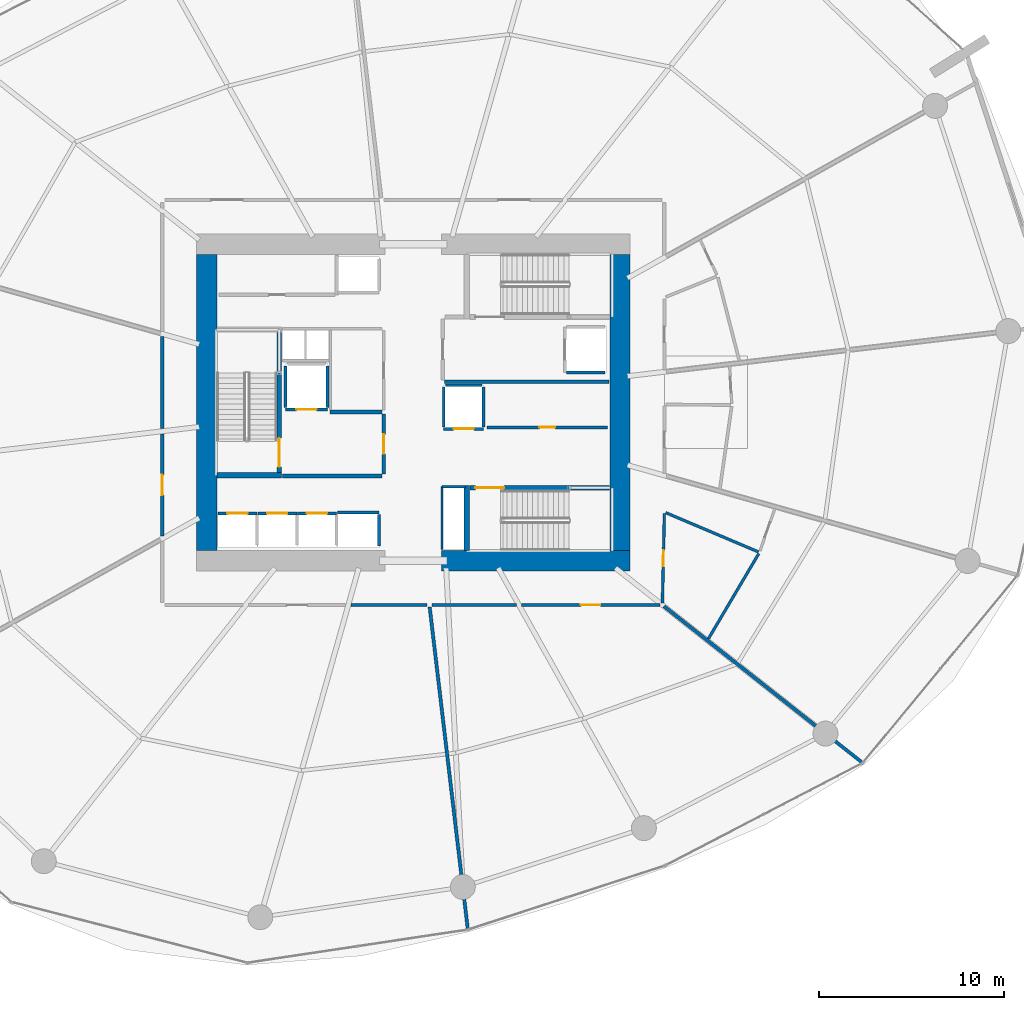
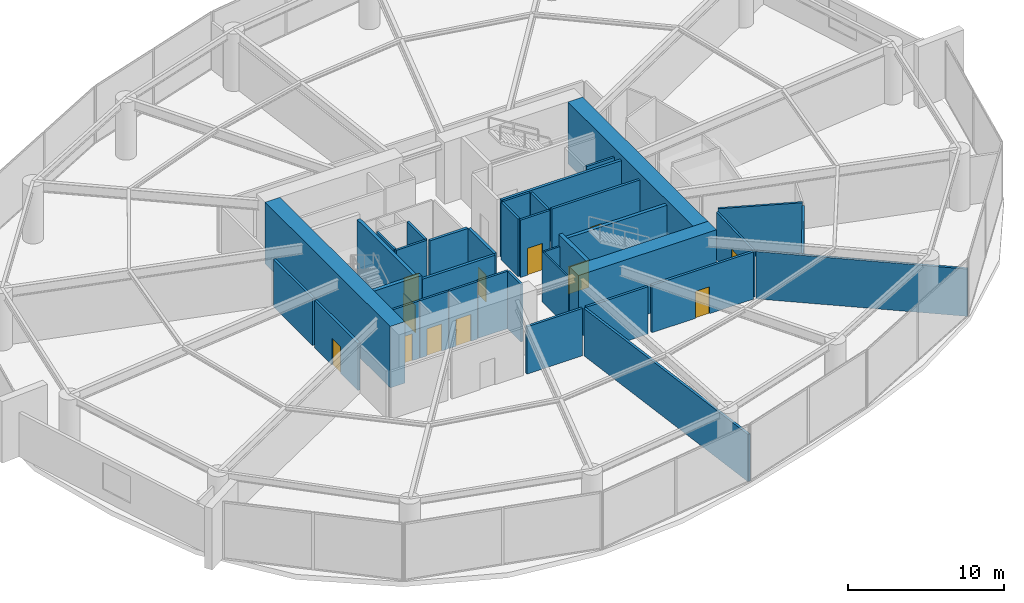
# One storey, part 18 of 22: 37 walls, 12 doors, 12 openings.
"""IFC4 building model written with IfcOpenShell, lengths in metres."""

from ifc_helpers import new_model, si_unit, direction, frame, frame_2d, origin, place, context, subcontext, project, spatial, rectangle, extrude, material, layer, layer_set, type_object, element, fill, save


model = new_model("IFC4")

# Units and contexts
model_context = context("Model", 3, precision=1e-05, world=origin(), true_north=direction((0.0, 1.0)))
body_context = subcontext(model_context, "Body", "Model", "MODEL_VIEW")
ifc_project = project(units=[si_unit("LENGTHUNIT", "METRE"), si_unit("AREAUNIT", "SQUARE_METRE"), si_unit("VOLUMEUNIT", "CUBIC_METRE"), si_unit("PLANEANGLEUNIT", "RADIAN"), si_unit("MASSUNIT", "GRAM", prefix="KILO")], contexts=[model_context])

# Site, building, storey
site_placement = place(None, origin())
site = spatial("IfcSite", under=ifc_project, at=site_placement, CompositionType="ELEMENT")
building_placement = place(site_placement, origin())
building = spatial("IfcBuilding", under=site, at=building_placement, Name="Kazma Halo Residences", CompositionType="ELEMENT")
storey_placement = place(building_placement, frame((0.0, 0.0, 7.199951171875)))
storey = spatial("IfcBuildingStorey", under=building, at=storey_placement, Name="L01", CompositionType="ELEMENT", Elevation=7.199951171875)

# Walls
ifc_material_1 = material(Name="Concrete C80/95", Category="concrete")
ifc_layer_1 = layer(ifc_material_1, 1.10009765625)
ifc_layer_set_1 = layer_set([ifc_layer_1], Name="Concrete C80/95")
wall_type_1 = type_object("IfcWallType", Name="WL-CORE-1100", PredefinedType="SHEAR", material=ifc_layer_set_1)
wall_1_placement = place(storey_placement, frame((49.949951171875, 33.449951171875, 0.0), z_axis=(0.0, 0.0, 1.0), x_axis=(1.0, 0.0, 0.0)))
element("IfcWall", 1, at=wall_1_placement, inside=storey, type_object=wall_type_1, Name="L01 central core shear wall SE", PredefinedType="SHEAR", context=body_context, shape_type="SweptSolid", body=[
    extrude(rectangle(XDim=10.199951171875, YDim=1.10009765625, at=frame_2d((5.10009765625, 0.0))), origin(), (0.0, 0.0, 1.0), 4.800048828125),
])
for number, where, z_axis, x_axis, name in (
    (2, (37.25, 34.0, 0.0), (0.0, 0.0, 1.0), (0.0, 1.0, 0.0), "L01 central core shear wall W"),
    (3, (59.60009765625, 34.0, 0.0), (0.0, 0.0, 1.0), (0.0, 1.0, 0.0), "L01 central core shear wall E"),
):
    element("IfcWall", number, at=place(storey_placement, frame(where, z_axis=z_axis, x_axis=x_axis)), inside=storey, type_object=wall_type_1, Name=name, PredefinedType="SHEAR", context=body_context, shape_type="SweptSolid", body=[
        extrude(rectangle(XDim=16.0, YDim=1.10009765625, at=frame_2d((8.0, 0.0))), origin(), (0.0, 0.0, 1.0), 4.800048828125),
    ])
ifc_material_2 = material(Name="Concrete C60/75", Category="concrete")
ifc_layer_2 = layer(ifc_material_2, 0.280029296875)
ifc_layer_set_2 = layer_set([ifc_layer_2], Name="Concrete C60/75")
wall_type_2 = type_object("IfcWallType", Name="WL-CORE-ST-280", PredefinedType="SHEAR", material=ifc_layer_set_2)
for number, where, z_axis, x_axis, name in (
    (4, (37.800048828125, 38.06005859375, 0.0), (0.0, 0.0, 1.0), (1.0, 0.0, 0.0), "L01 stairwell bearing wall ST01-S"),
    (5, (51.31005859375, 34.0, 0.0), (0.0, 0.0, 1.0), (0.0, 1.0, 0.0), "L01 stairwell bearing wall ST03-W"),
):
    element("IfcWall", number, at=place(storey_placement, frame(where, z_axis=z_axis, x_axis=x_axis)), inside=storey, type_object=wall_type_2, Name=name, PredefinedType="SHEAR", context=body_context, shape_type="SweptSolid", body=[
        extrude(rectangle(XDim=3.5, YDim=0.280029296875, at=frame_2d((1.75, 0.0))), origin(), (0.0, 0.0, 1.0), 4.800048828125),
    ])
ifc_material_3 = material(Name="Acoustic Twin-Stud Gypsum")
ifc_layer_3 = layer(ifc_material_3, 0.179931640625)
ifc_layer_set_3 = layer_set([ifc_layer_3], Name="Acoustic Twin-Stud Gypsum")
wall_type_3 = type_object("IfcWallType", Name="WL-DEM-180", PredefinedType="PARTITIONING", material=ifc_layer_set_3)
wall_2_placement = place(storey_placement, frame((34.85009765625, 45.568603515625, 0.0), z_axis=(0.0, 0.0, 1.0), x_axis=(0.0, -1.0, 0.0)))
element("IfcWall", 6, at=wall_2_placement, inside=storey, type_object=wall_type_3, Name="L01 Catering Kitchen and Pantry corridor wall", PredefinedType="PARTITIONING", context=body_context, shape_type="SweptSolid", body=[
    extrude(rectangle(XDim=4.985107421875, YDim=0.179931640625, at=frame_2d((2.49267578125, 0.0))), origin(), (0.0, 0.0, 1.0), 3.693115234375),
])

# Wall, opening, door
wall_3_placement = place(storey_placement, frame((34.85009765625, 40.3037109375, 0.0), z_axis=(0.0, 0.0, 1.0), x_axis=(0.0, -1.0, 0.0)))
wall_3 = element("IfcWall", 7, at=wall_3_placement, inside=storey, type_object=wall_type_3, Name="L01 Catering Kitchen and Pantry corridor wall", PredefinedType="PARTITIONING", context=body_context, shape_type="SweptSolid", body=[
    extrude(rectangle(XDim=5.528076171875, YDim=0.179931640625, at=frame_2d((2.76416015625, 0.0))), origin(), (0.0, 0.0, 1.0), 3.693115234375),
])
opening_1_placement = place(wall_3_placement, frame((2.214111328125, 0.0, 0.0)))
opening_1 = element("IfcOpeningElement", 8, at=opening_1_placement, cuts=wall_3, Name="Opening DA-1100", PredefinedType="OPENING", context=body_context, shape_type="SweptSolid", body=[
    extrude(rectangle(XDim=1.10009765625, YDim=2.10009765625, at=frame_2d((0.550048828125, 1.050048828125))), frame((0.0, 0.099853515625, 0.0), z_axis=(0.0, -1.0, 0.0), x_axis=(1.0, 0.0, 0.0)), (0.0, 0.0, 1.0), 0.199951171875),
])
ifc_material_4 = material(Name="Acoustic Walnut Fire Leaf")
door_type_1 = type_object("IfcDoorType", Name="DR-FD60-1100", OperationType="NOTDEFINED", PredefinedType="DOOR", material=ifc_material_4)
door_1_placement = place(opening_1_placement, origin())
door_1 = element("IfcDoor", 9, at=door_1_placement, inside=storey, type_object=door_type_1, Name="L01 Catering Kitchen and Pantry entrance door", OperationType="SINGLE_SWING_LEFT", OverallHeight=2.10009765625, OverallWidth=1.10009765625, PredefinedType="DOOR", context=body_context, shape_type="SweptSolid", body=[
    extrude(rectangle(XDim=1.10009765625, YDim=2.10009765625, at=frame_2d((0.550048828125, 1.050048828125))), frame((0.0, 0.02490234375, 0.0), z_axis=(0.0, -1.0, 0.0), x_axis=(1.0, 0.0, 0.0)), (0.0, 0.0, 1.0), 0.050048828125),
])
fill(opening_1, door_1)

# Walls
wall_4_placement = place(storey_placement, frame((45.0517578125, 31.050048828125, 0.0), z_axis=(0.0, 0.0, 1.0), x_axis=(1.0, 0.0, 0.0)))
element("IfcWall", 10, at=wall_4_placement, inside=storey, type_object=wall_type_3, Name="L01 Residents Business Suite corridor wall", PredefinedType="PARTITIONING", context=body_context, shape_type="SweptSolid", body=[
    extrude(rectangle(XDim=4.104248046875, YDim=0.179931640625, at=frame_2d((2.05224609375, 0.0))), origin(), (0.0, 0.0, 1.0), 3.693115234375),
])
wall_5_placement = place(storey_placement, frame((49.308837890625, 30.94091796875, 0.0), z_axis=(0.0, 0.0, 1.0), x_axis=(0.117547531601, -0.993067257448, 0.0)))
element("IfcWall", 11, at=wall_5_placement, inside=storey, type_object=wall_type_3, Name="L01 radial partition wall 11", PredefinedType="PARTITIONING", context=body_context, shape_type="SweptSolid", body=[
    extrude(rectangle(XDim=17.548095703125, YDim=0.179931640625, at=frame_2d((8.77392578125, 0.0))), origin(), (0.0, 0.0, 1.0), 3.693115234375),
])
wall_6_placement = place(storey_placement, frame((49.43603515625, 31.050048828125, 0.0), z_axis=(0.0, 0.0, 1.0), x_axis=(1.0, 0.0, 0.0)))
element("IfcWall", 12, at=wall_6_placement, inside=storey, type_object=wall_type_3, Name="L01 Estate Furniture Store Room corridor wall", PredefinedType="PARTITIONING", context=body_context, shape_type="SweptSolid", body=[
    extrude(rectangle(XDim=4.55615234375, YDim=0.179931640625, at=frame_2d((2.278076171875, 0.0))), origin(), (0.0, 0.0, 1.0), 3.693115234375),
])

# Wall, opening, door
wall_7_placement = place(storey_placement, frame((54.272216796875, 31.050048828125, 0.0), z_axis=(0.0, 0.0, 1.0), x_axis=(1.0, 0.0, 0.0)))
wall_7 = element("IfcWall", 13, at=wall_7_placement, inside=storey, type_object=wall_type_3, Name="L01 Estate Furniture Store Room corridor wall", PredefinedType="PARTITIONING", context=body_context, shape_type="SweptSolid", body=[
    extrude(rectangle(XDim=7.477783203125, YDim=0.179931640625, at=frame_2d((3.73876953125, 0.0))), origin(), (0.0, 0.0, 1.0), 3.693115234375),
])
opening_2_placement = place(wall_7_placement, frame((3.2138671875, 0.0, 0.0)))
opening_2 = element("IfcOpeningElement", 14, at=opening_2_placement, cuts=wall_7, Name="Opening DF-1050", PredefinedType="OPENING", context=body_context, shape_type="SweptSolid", body=[
    extrude(rectangle(XDim=1.050048828125, YDim=2.10009765625, at=frame_2d((0.52490234375, 1.050048828125))), frame((0.0, 0.099853515625, 0.0), z_axis=(0.0, -1.0, 0.0), x_axis=(1.0, 0.0, 0.0)), (0.0, 0.0, 1.0), 0.199951171875),
])
ifc_material_5 = material(Name="Fire-Rated Steel Leaf", Category="steel")
door_type_2 = type_object("IfcDoorType", Name="DR-FD90-1050", OperationType="NOTDEFINED", PredefinedType="DOOR", material=ifc_material_5)
door_2_placement = place(opening_2_placement, origin())
door_2 = element("IfcDoor", 15, at=door_2_placement, inside=storey, type_object=door_type_2, Name="L01 Estate Furniture Store Room entrance door", OperationType="SINGLE_SWING_LEFT", OverallHeight=2.10009765625, OverallWidth=1.050048828125, PredefinedType="DOOR", context=body_context, shape_type="SweptSolid", body=[
    extrude(rectangle(XDim=1.050048828125, YDim=2.10009765625, at=frame_2d((0.52490234375, 1.050048828125))), frame((0.0, 0.02490234375, 0.0), z_axis=(0.0, -1.0, 0.0), x_axis=(1.0, 0.0, 0.0)), (0.0, 0.0, 1.0), 0.050048828125),
])
fill(opening_2, door_2)

# Wall
wall_8_placement = place(storey_placement, frame((61.976318359375, 30.98193359375, 0.0), z_axis=(0.0, 0.0, 1.0), x_axis=(0.785315783489, -0.619095404766, 0.0)))
element("IfcWall", 16, at=wall_8_placement, inside=storey, type_object=wall_type_3, Name="L01 radial partition wall 13", PredefinedType="PARTITIONING", context=body_context, shape_type="SweptSolid", body=[
    extrude(rectangle(XDim=13.6611328125, YDim=0.179931640625, at=frame_2d((6.83056640625, 0.0))), origin(), (0.0, 0.0, 1.0), 3.693115234375),
])

# Wall, opening, door
ifc_material_6 = material(Name="Fire-Rated Blockwork Masonry", Category="masonry")
ifc_layer_4 = layer(ifc_material_6, 0.199951171875)
ifc_layer_set_4 = layer_set([ifc_layer_4], Name="Fire-Rated Blockwork Masonry")
wall_type_4 = type_object("IfcWallType", Name="WL-FLB-200", PredefinedType="PARTITIONING", material=ifc_layer_set_4)
wall_9_placement = place(storey_placement, frame((37.864990234375, 36.0048828125, 0.0), z_axis=(0.0, 0.0, 1.0), x_axis=(1.0, 0.0, 0.0)))
wall_9 = element("IfcWall", 17, at=wall_9_placement, inside=storey, type_object=wall_type_4, Name="L01 lift shaft PL-01 front wall", PredefinedType="PARTITIONING", context=body_context, shape_type="SweptSolid", body=[
    extrude(rectangle(XDim=2.110107421875, YDim=0.159912109375, at=frame_2d((1.05517578125, 0.0))), origin(), (0.0, 0.0, 1.0), 4.47998046875),
])
opening_3_placement = place(wall_9_placement, frame((0.5048828125, 0.0, 0.0)))
opening_3 = element("IfcOpeningElement", 18, at=opening_3_placement, cuts=wall_9, Name="Opening LD-PL-01", PredefinedType="OPENING", context=body_context, shape_type="SweptSolid", body=[
    extrude(rectangle(XDim=1.10009765625, YDim=2.10009765625, at=frame_2d((0.550048828125, 1.050048828125))), frame((0.0, 0.08984375, 0.0), z_axis=(0.0, -1.0, 0.0), x_axis=(1.0, 0.0, 0.0)), (0.0, 0.0, 1.0), 0.179931640625),
])
ifc_material_7 = material(Name="Stainless Steel Fire-Rated", Category="steel")
door_type_3 = type_object("IfcDoorType", Name="DR-LIFT-SLD-1100", OperationType="DOUBLE_DOOR_SLIDING", PredefinedType="DOOR", material=ifc_material_7)
door_3_placement = place(opening_3_placement, origin())
door_3 = element("IfcDoor", 19, at=door_3_placement, inside=storey, type_object=door_type_3, Name="L01 lift PL-01 sliding landing door", OperationType="DOUBLE_DOOR_SLIDING", OverallHeight=2.10009765625, OverallWidth=1.10009765625, PredefinedType="DOOR", context=body_context, shape_type="SweptSolid", body=[
    extrude(rectangle(XDim=1.10009765625, YDim=2.10009765625, at=frame_2d((0.550048828125, 1.050048828125))), frame((0.0, 0.02490234375, 0.0), z_axis=(0.0, -1.0, 0.0), x_axis=(1.0, 0.0, 0.0)), (0.0, 0.0, 1.0), 0.050048828125),
])
fill(opening_3, door_3)

wall_10_placement = place(storey_placement, frame((40.014892578125, 36.0048828125, 0.0), z_axis=(0.0, 0.0, 1.0), x_axis=(1.0, 0.0, 0.0)))
wall_10 = element("IfcWall", 20, at=wall_10_placement, inside=storey, type_object=wall_type_4, Name="L01 lift shaft PL-02 front wall", PredefinedType="PARTITIONING", context=body_context, shape_type="SweptSolid", body=[
    extrude(rectangle(XDim=2.110107421875, YDim=0.159912109375, at=frame_2d((1.05517578125, 0.0))), origin(), (0.0, 0.0, 1.0), 4.47998046875),
])
opening_4_placement = place(wall_10_placement, frame((0.5048828125, 0.0, 0.0)))
opening_4 = element("IfcOpeningElement", 21, at=opening_4_placement, cuts=wall_10, Name="Opening LD-PL-02", PredefinedType="OPENING", context=body_context, shape_type="SweptSolid", body=[
    extrude(rectangle(XDim=1.10009765625, YDim=2.10009765625, at=frame_2d((0.550048828125, 1.050048828125))), frame((0.0, 0.08984375, 0.0), z_axis=(0.0, -1.0, 0.0), x_axis=(1.0, 0.0, 0.0)), (0.0, 0.0, 1.0), 0.179931640625),
])
door_4_placement = place(opening_4_placement, origin())
door_4 = element("IfcDoor", 22, at=door_4_placement, inside=storey, type_object=door_type_3, Name="L01 lift PL-02 sliding landing door", OperationType="DOUBLE_DOOR_SLIDING", OverallHeight=2.10009765625, OverallWidth=1.10009765625, PredefinedType="DOOR", context=body_context, shape_type="SweptSolid", body=[
    extrude(rectangle(XDim=1.10009765625, YDim=2.10009765625, at=frame_2d((0.550048828125, 1.050048828125))), frame((0.0, 0.02490234375, 0.0), z_axis=(0.0, -1.0, 0.0), x_axis=(1.0, 0.0, 0.0)), (0.0, 0.0, 1.0), 0.050048828125),
])
fill(opening_4, door_4)

wall_11_placement = place(storey_placement, frame((42.1650390625, 36.0048828125, 0.0), z_axis=(0.0, 0.0, 1.0), x_axis=(1.0, 0.0, 0.0)))
wall_11 = element("IfcWall", 23, at=wall_11_placement, inside=storey, type_object=wall_type_4, Name="L01 lift shaft PL-03 front wall", PredefinedType="PARTITIONING", context=body_context, shape_type="SweptSolid", body=[
    extrude(rectangle(XDim=2.10986328125, YDim=0.159912109375, at=frame_2d((1.054931640625, 0.0))), origin(), (0.0, 0.0, 1.0), 4.47998046875),
])
opening_5_placement = place(wall_11_placement, frame((0.5048828125, 0.0, 0.0)))
opening_5 = element("IfcOpeningElement", 24, at=opening_5_placement, cuts=wall_11, Name="Opening LD-PL-03", PredefinedType="OPENING", context=body_context, shape_type="SweptSolid", body=[
    extrude(rectangle(XDim=1.10009765625, YDim=2.10009765625, at=frame_2d((0.550048828125, 1.050048828125))), frame((0.0, 0.08984375, 0.0), z_axis=(0.0, -1.0, 0.0), x_axis=(1.0, 0.0, 0.0)), (0.0, 0.0, 1.0), 0.179931640625),
])
door_5_placement = place(opening_5_placement, origin())
door_5 = element("IfcDoor", 25, at=door_5_placement, inside=storey, type_object=door_type_3, Name="L01 lift PL-03 sliding landing door", OperationType="DOUBLE_DOOR_SLIDING", OverallHeight=2.10009765625, OverallWidth=1.10009765625, PredefinedType="DOOR", context=body_context, shape_type="SweptSolid", body=[
    extrude(rectangle(XDim=1.10009765625, YDim=2.10009765625, at=frame_2d((0.550048828125, 1.050048828125))), frame((0.0, 0.02490234375, 0.0), z_axis=(0.0, -1.0, 0.0), x_axis=(1.0, 0.0, 0.0)), (0.0, 0.0, 1.0), 0.050048828125),
])
fill(opening_5, door_5)

# Walls
wall_12_placement = place(storey_placement, frame((44.320068359375, 36.054931640625, 0.0), z_axis=(0.0, 0.0, 1.0), x_axis=(1.0, 0.0, 0.0)))
element("IfcWall", 26, at=wall_12_placement, inside=storey, type_object=wall_type_4, Name="L01 lift shaft PX-02 front wall", PredefinedType="PARTITIONING", context=body_context, shape_type="SweptSolid", body=[
    extrude(rectangle(XDim=2.260009765625, YDim=0.159912109375, at=frame_2d((1.1298828125, 0.0))), origin(), (0.0, 0.0, 1.0), 4.47998046875),
])
wall_13_placement = place(storey_placement, frame((46.580078125, 34.2451171875, 0.0), z_axis=(0.0, 0.0, 1.0), x_axis=(0.0, 1.0, 0.0)))
element("IfcWall", 27, at=wall_13_placement, inside=storey, type_object=wall_type_4, Name="L01 lift shaft PX-02 side wall E", PredefinedType="PARTITIONING", context=body_context, shape_type="SweptSolid", body=[
    extrude(rectangle(XDim=1.7099609375, YDim=0.159912109375, at=frame_2d((0.85498046875, 0.0))), origin(), (0.0, 0.0, 1.0), 4.47998046875),
])

# Wall, opening, door
wall_14_placement = place(storey_placement, frame((43.780029296875, 41.6201171875, 0.0), z_axis=(0.0, 0.0, 1.0), x_axis=(-1.0, 0.0, 0.0)))
wall_14 = element("IfcWall", 28, at=wall_14_placement, inside=storey, type_object=wall_type_4, Name="L01 lift shaft FL-01 front wall", PredefinedType="PARTITIONING", context=body_context, shape_type="SweptSolid", body=[
    extrude(rectangle(XDim=2.260009765625, YDim=0.159912109375, at=frame_2d((1.1298828125, 0.0))), origin(), (0.0, 0.0, 1.0), 4.47998046875),
])
opening_6_placement = place(wall_14_placement, frame((0.580078125, 0.0, 0.0)))
opening_6 = element("IfcOpeningElement", 29, at=opening_6_placement, cuts=wall_14, Name="Opening LD-FL-01", PredefinedType="OPENING", context=body_context, shape_type="SweptSolid", body=[
    extrude(rectangle(XDim=1.10009765625, YDim=2.10009765625, at=frame_2d((0.550048828125, 1.050048828125))), frame((0.0, 0.08984375, 0.0), z_axis=(0.0, -1.0, 0.0), x_axis=(1.0, 0.0, 0.0)), (0.0, 0.0, 1.0), 0.179931640625),
])
door_6_placement = place(opening_6_placement, origin())
door_6 = element("IfcDoor", 30, at=door_6_placement, inside=storey, type_object=door_type_3, Name="L01 lift FL-01 sliding landing door", OperationType="DOUBLE_DOOR_SLIDING", OverallHeight=2.10009765625, OverallWidth=1.10009765625, PredefinedType="DOOR", context=body_context, shape_type="SweptSolid", body=[
    extrude(rectangle(XDim=1.10009765625, YDim=2.10009765625, at=frame_2d((0.550048828125, 1.050048828125))), frame((0.0, 0.02490234375, 0.0), z_axis=(0.0, -1.0, 0.0), x_axis=(1.0, 0.0, 0.0)), (0.0, 0.0, 1.0), 0.050048828125),
])
fill(opening_6, door_6)

# Walls
for number, where, z_axis, x_axis, name in (
    (31, (43.780029296875, 41.719970703125, 0.0), (0.0, 0.0, 1.0), (0.0, 1.0, 0.0), "L01 lift shaft FL-01 side wall E"),
    (32, (41.52001953125, 41.719970703125, 0.0), (0.0, 0.0, 1.0), (0.0, 1.0, 0.0), "L01 lift shaft FL-01 side wall W"),
):
    element("IfcWall", number, at=place(storey_placement, frame(where, z_axis=z_axis, x_axis=x_axis)), inside=storey, type_object=wall_type_4, Name=name, PredefinedType="PARTITIONING", context=body_context, shape_type="SweptSolid", body=[
        extrude(rectangle(XDim=2.260009765625, YDim=0.159912109375, at=frame_2d((1.1298828125, 0.0))), origin(), (0.0, 0.0, 1.0), 4.47998046875),
    ])
wall_15_placement = place(storey_placement, frame((56.719970703125, 43.6201171875, 0.0), z_axis=(0.0, 0.0, 1.0), x_axis=(1.0, 0.0, 0.0)))
element("IfcWall", 33, at=wall_15_placement, inside=storey, type_object=wall_type_4, Name="L01 lift shaft FL-02 side wall S", PredefinedType="PARTITIONING", context=body_context, shape_type="SweptSolid", body=[
    extrude(rectangle(XDim=2.06005859375, YDim=0.159912109375, at=frame_2d((1.030029296875, 0.0))), origin(), (0.0, 0.0, 1.0), 4.47998046875),
])

# Wall, opening, door
wall_16_placement = place(storey_placement, frame((52.22998046875, 40.570068359375, 0.0), z_axis=(0.0, 0.0, 1.0), x_axis=(-1.0, 0.0, 0.0)))
wall_16 = element("IfcWall", 34, at=wall_16_placement, inside=storey, type_object=wall_type_4, Name="L01 lift shaft SV-01 front wall", PredefinedType="PARTITIONING", context=body_context, shape_type="SweptSolid", body=[
    extrude(rectangle(XDim=2.159912109375, YDim=0.159912109375, at=frame_2d((1.080078125, 0.0))), origin(), (0.0, 0.0, 1.0), 4.47998046875),
])
opening_7_placement = place(wall_16_placement, frame((0.530029296875, 0.0, 0.0)))
opening_7 = element("IfcOpeningElement", 35, at=opening_7_placement, cuts=wall_16, Name="Opening LD-SV-01", PredefinedType="OPENING", context=body_context, shape_type="SweptSolid", body=[
    extrude(rectangle(XDim=1.10009765625, YDim=2.10009765625, at=frame_2d((0.550048828125, 1.050048828125))), frame((0.0, 0.08984375, 0.0), z_axis=(0.0, -1.0, 0.0), x_axis=(1.0, 0.0, 0.0)), (0.0, 0.0, 1.0), 0.179931640625),
])
door_7_placement = place(opening_7_placement, origin())
door_7 = element("IfcDoor", 36, at=door_7_placement, inside=storey, type_object=door_type_3, Name="L01 lift SV-01 sliding landing door", OperationType="DOUBLE_DOOR_SLIDING", OverallHeight=2.10009765625, OverallWidth=1.10009765625, PredefinedType="DOOR", context=body_context, shape_type="SweptSolid", body=[
    extrude(rectangle(XDim=1.10009765625, YDim=2.10009765625, at=frame_2d((0.550048828125, 1.050048828125))), frame((0.0, 0.02490234375, 0.0), z_axis=(0.0, -1.0, 0.0), x_axis=(1.0, 0.0, 0.0)), (0.0, 0.0, 1.0), 0.050048828125),
])
fill(opening_7, door_7)

# Walls
for number, where, z_axis, x_axis, name in (
    (37, (52.22998046875, 40.669921875, 0.0), (0.0, 0.0, 1.0), (0.0, 1.0, 0.0), "L01 lift shaft SV-01 side wall E"),
    (38, (50.070068359375, 40.669921875, 0.0), (0.0, 0.0, 1.0), (0.0, 1.0, 0.0), "L01 lift shaft SV-01 side wall W"),
):
    element("IfcWall", number, at=place(storey_placement, frame(where, z_axis=z_axis, x_axis=x_axis)), inside=storey, type_object=wall_type_4, Name=name, PredefinedType="PARTITIONING", context=body_context, shape_type="SweptSolid", body=[
        extrude(rectangle(XDim=2.16015625, YDim=0.159912109375, at=frame_2d((1.080078125, 0.0))), origin(), (0.0, 0.0, 1.0), 4.47998046875),
    ])
wall_17_placement = place(storey_placement, frame((50.169921875, 42.929931640625, 0.0), z_axis=(0.0, 0.0, 1.0), x_axis=(1.0, 0.0, 0.0)))
element("IfcWall", 39, at=wall_17_placement, inside=storey, type_object=wall_type_4, Name="L01 lift shaft SV-01 side wall N", PredefinedType="PARTITIONING", context=body_context, shape_type="SweptSolid", body=[
    extrude(rectangle(XDim=1.9599609375, YDim=0.159912109375, at=frame_2d((0.97998046875, 0.0))), origin(), (0.0, 0.0, 1.0), 4.47998046875),
])

# Wall, opening, door
wall_18_placement = place(storey_placement, frame((52.419921875, 40.64990234375, 0.0), z_axis=(0.0, 0.0, 1.0), x_axis=(1.0, 0.0, 0.0)))
wall_18 = element("IfcWall", 40, at=wall_18_placement, inside=storey, type_object=wall_type_4, Name="L01 core east reserve wall", PredefinedType="PARTITIONING", context=body_context, shape_type="SweptSolid", body=[
    extrude(rectangle(XDim=6.5, YDim=0.179931640625, at=frame_2d((3.25, 0.0))), origin(), (0.0, 0.0, 1.0), 4.47998046875),
])
opening_8_placement = place(wall_18_placement, frame((2.824951171875, 0.0, 0.0)))
opening_8 = element("IfcOpeningElement", 41, at=opening_8_placement, cuts=wall_18, Name="Opening DS-850", PredefinedType="OPENING", context=body_context, shape_type="SweptSolid", body=[
    extrude(rectangle(XDim=0.85009765625, YDim=2.06005859375, at=frame_2d((0.425048828125, 1.030029296875))), frame((0.0, 0.099853515625, 0.0), z_axis=(0.0, -1.0, 0.0), x_axis=(1.0, 0.0, 0.0)), (0.0, 0.0, 1.0), 0.199951171875),
])
ifc_material_8 = material(Name="Painted Steel Access Leaf", Category="steel")
door_type_4 = type_object("IfcDoorType", Name="DR-SVC-850", OperationType="NOTDEFINED", PredefinedType="DOOR", material=ifc_material_8)
door_8_placement = place(opening_8_placement, origin())
door_8 = element("IfcDoor", 42, at=door_8_placement, inside=storey, type_object=door_type_4, Name="L01 core east reserve door", OperationType="SINGLE_SWING_RIGHT", OverallHeight=2.06005859375, OverallWidth=0.85009765625, PredefinedType="DOOR", context=body_context, shape_type="SweptSolid", body=[
    extrude(rectangle(XDim=0.85009765625, YDim=2.06005859375, at=frame_2d((0.425048828125, 1.030029296875))), frame((0.0, 0.02490234375, 0.0), z_axis=(0.0, -1.0, 0.0), x_axis=(1.0, 0.0, 0.0)), (0.0, 0.0, 1.0), 0.050048828125),
])
fill(opening_8, door_8)

# Walls
wall_19_placement = place(storey_placement, frame((41.35009765625, 38.02001953125, 0.0), z_axis=(0.0, 0.0, 1.0), x_axis=(1.0, 0.0, 0.0)))
element("IfcWall", 43, at=wall_19_placement, inside=storey, type_object=wall_type_4, Name="L01 west firefighting lobby south smoke wall", PredefinedType="PARTITIONING", context=body_context, shape_type="SweptSolid", body=[
    extrude(rectangle(XDim=5.369873046875, YDim=0.199951171875, at=frame_2d((2.68505859375, 0.0))), origin(), (0.0, 0.0, 1.0), 4.47998046875),
])
wall_20_placement = place(storey_placement, frame((43.919921875, 41.47998046875, 0.0), z_axis=(0.0, 0.0, 1.0), x_axis=(1.0, 0.0, 0.0)))
element("IfcWall", 44, at=wall_20_placement, inside=storey, type_object=wall_type_4, Name="L01 west firefighting lobby north smoke wall", PredefinedType="PARTITIONING", context=body_context, shape_type="SweptSolid", body=[
    extrude(rectangle(XDim=2.800048828125, YDim=0.199951171875, at=frame_2d((1.39990234375, 0.0))), origin(), (0.0, 0.0, 1.0), 4.47998046875),
])

# Wall, opening, door
wall_21_placement = place(storey_placement, frame((46.820068359375, 38.1201171875, 0.0), z_axis=(0.0, 0.0, 1.0), x_axis=(0.0, 1.0, 0.0)))
wall_21 = element("IfcWall", 45, at=wall_21_placement, inside=storey, type_object=wall_type_4, Name="L01 west firefighting lobby smoke wall", PredefinedType="PARTITIONING", context=body_context, shape_type="SweptSolid", body=[
    extrude(rectangle(XDim=3.259765625, YDim=0.199951171875, at=frame_2d((1.6298828125, 0.0))), origin(), (0.0, 0.0, 1.0), 4.47998046875),
])
opening_9_placement = place(wall_21_placement, frame((1.10498046875, 0.0, 0.0)))
opening_9 = element("IfcOpeningElement", 46, at=opening_9_placement, cuts=wall_21, Name="Opening D-FLW", PredefinedType="OPENING", context=body_context, shape_type="SweptSolid", body=[
    extrude(rectangle(XDim=1.050048828125, YDim=2.10009765625, at=frame_2d((0.52490234375, 1.050048828125))), frame((0.0, 0.10986328125, 0.0), z_axis=(0.0, -1.0, 0.0), x_axis=(1.0, 0.0, 0.0)), (0.0, 0.0, 1.0), 0.219970703125),
])
door_9_placement = place(opening_9_placement, origin())
door_9 = element("IfcDoor", 47, at=door_9_placement, inside=storey, type_object=door_type_2, Name="L01 west firefighting lobby smoke door", OperationType="SINGLE_SWING_RIGHT", OverallHeight=2.10009765625, OverallWidth=1.050048828125, PredefinedType="DOOR", context=body_context, shape_type="SweptSolid", body=[
    extrude(rectangle(XDim=1.050048828125, YDim=2.10009765625, at=frame_2d((0.52490234375, 1.050048828125))), frame((0.0, 0.02490234375, 0.0), z_axis=(0.0, -1.0, 0.0), x_axis=(1.0, 0.0, 0.0)), (0.0, 0.0, 1.0), 0.050048828125),
])
fill(opening_9, door_9)

# Walls
wall_22_placement = place(storey_placement, frame((50.1201171875, 43.1201171875, 0.0), z_axis=(0.0, 0.0, 1.0), x_axis=(1.0, 0.0, 0.0)))
element("IfcWall", 48, at=wall_22_placement, inside=storey, type_object=wall_type_4, Name="L01 east firefighting lobby south smoke wall", PredefinedType="PARTITIONING", context=body_context, shape_type="SweptSolid", body=[
    extrude(rectangle(XDim=8.8798828125, YDim=0.199951171875, at=frame_2d((4.43994140625, 0.0))), origin(), (0.0, 0.0, 1.0), 4.47998046875),
])
ifc_material_9 = material(Name="Gypsum Plasterboard Partition")
ifc_layer_5 = layer(ifc_material_9, 0.125)
ifc_layer_set_5 = layer_set([ifc_layer_5], Name="Gypsum Plasterboard Partition")
wall_type_5 = type_object("IfcWallType", Name="WL-PART-125", PredefinedType="PARTITIONING", material=ifc_layer_set_5)
wall_23_placement = place(storey_placement, frame((49.97998046875, 34.06005859375, 0.0), z_axis=(0.0, 0.0, 1.0), x_axis=(0.0, 1.0, 0.0)))
element("IfcWall", 49, at=wall_23_placement, inside=storey, type_object=wall_type_5, Name="L01 standpipe riser wall", PredefinedType="PARTITIONING", context=body_context, shape_type="SweptSolid", body=[
    extrude(rectangle(XDim=3.39990234375, YDim=0.125, at=frame_2d((1.699951171875, 0.0))), origin(), (0.0, 0.0, 1.0), 3.920166015625),
])
wall_24_placement = place(storey_placement, frame((49.97998046875, 37.43994140625, 0.0), z_axis=(0.0, 0.0, 1.0), x_axis=(1.0, 0.0, 0.0)))
element("IfcWall", 50, at=wall_24_placement, inside=storey, type_object=wall_type_5, Name="L01 standpipe riser north wall", PredefinedType="PARTITIONING", context=body_context, shape_type="SweptSolid", body=[
    extrude(rectangle(XDim=1.260009765625, YDim=0.125, at=frame_2d((0.6298828125, 0.0))), origin(), (0.0, 0.0, 1.0), 3.920166015625),
])

# Wall, opening, door
ifc_material_10 = material(Name="Concrete C50/60", Category="concrete")
ifc_layer_6 = layer(ifc_material_10, 0.25)
ifc_layer_set_6 = layer_set([ifc_layer_6], Name="Concrete C50/60")
wall_type_6 = type_object("IfcWallType", Name="WL-SHF-250", PredefinedType="SOLIDWALL", material=ifc_layer_set_6)
wall_25_placement = place(storey_placement, frame((41.179931640625, 38.219970703125, 0.0), z_axis=(0.0, 0.0, 1.0), x_axis=(0.0, 1.0, 0.0)))
wall_25 = element("IfcWall", 51, at=wall_25_placement, inside=storey, type_object=wall_type_6, Name="L01 exit stair ST-01 enclosure wall", PredefinedType="SOLIDWALL", context=body_context, shape_type="SweptSolid", body=[
    extrude(rectangle(XDim=7.56005859375, YDim=0.25, at=frame_2d((3.780029296875, 0.0))), origin(), (0.0, 0.0, 1.0), 4.47998046875),
])
opening_10_placement = place(wall_25_placement, frame((0.300048828125, 0.0, 0.0)))
opening_10 = element("IfcOpeningElement", 52, at=opening_10_placement, cuts=wall_25, Name="Opening D-ST1", PredefinedType="OPENING", context=body_context, shape_type="SweptSolid", body=[
    extrude(rectangle(XDim=1.550048828125, YDim=2.14990234375, at=frame_2d((0.77490234375, 1.074951171875))), frame((0.0, 0.135009765625, 0.0), z_axis=(0.0, -1.0, 0.0), x_axis=(1.0, 0.0, 0.0)), (0.0, 0.0, 1.0), 0.27001953125),
])
ifc_material_11 = material(Name="Fire-Rated Double Steel Leaf", Category="steel")
door_type_5 = type_object("IfcDoorType", Name="DR-FD90-1550", OperationType="NOTDEFINED", PredefinedType="DOOR", material=ifc_material_11)
door_10_placement = place(opening_10_placement, origin())
door_10 = element("IfcDoor", 53, at=door_10_placement, inside=storey, type_object=door_type_5, Name="L01 exit stair ST-01 fire door", OperationType="DOUBLE_DOOR_SINGLE_SWING", OverallHeight=2.14990234375, OverallWidth=1.550048828125, PredefinedType="DOOR", context=body_context, shape_type="SweptSolid", body=[
    extrude(rectangle(XDim=1.550048828125, YDim=2.14990234375, at=frame_2d((0.77490234375, 1.074951171875))), frame((0.0, 0.02490234375, 0.0), z_axis=(0.0, -1.0, 0.0), x_axis=(1.0, 0.0, 0.0)), (0.0, 0.0, 1.0), 0.050048828125),
])
fill(opening_10, door_10)

wall_26_placement = place(storey_placement, frame((51.47998046875, 37.3798828125, 0.0), z_axis=(0.0, 0.0, 1.0), x_axis=(1.0, 0.0, 0.0)))
wall_26 = element("IfcWall", 54, at=wall_26_placement, inside=storey, type_object=wall_type_6, Name="L01 exit stair ST-03 enclosure wall", PredefinedType="SOLIDWALL", context=body_context, shape_type="SweptSolid", body=[
    extrude(rectangle(XDim=7.5400390625, YDim=0.25, at=frame_2d((3.77001953125, 0.0))), origin(), (0.0, 0.0, 1.0), 4.47998046875),
])
opening_11_placement = place(wall_26_placement, frame((0.300048828125, 0.0, 0.0)))
opening_11 = element("IfcOpeningElement", 55, at=opening_11_placement, cuts=wall_26, Name="Opening D-ST3", PredefinedType="OPENING", context=body_context, shape_type="SweptSolid", body=[
    extrude(rectangle(XDim=1.550048828125, YDim=2.14990234375, at=frame_2d((0.77490234375, 1.074951171875))), frame((0.0, 0.135009765625, 0.0), z_axis=(0.0, -1.0, 0.0), x_axis=(1.0, 0.0, 0.0)), (0.0, 0.0, 1.0), 0.27001953125),
])
door_11_placement = place(opening_11_placement, origin())
door_11 = element("IfcDoor", 56, at=door_11_placement, inside=storey, type_object=door_type_5, Name="L01 exit stair ST-03 fire door", OperationType="DOUBLE_DOOR_SINGLE_SWING", OverallHeight=2.14990234375, OverallWidth=1.550048828125, PredefinedType="DOOR", context=body_context, shape_type="SweptSolid", body=[
    extrude(rectangle(XDim=1.550048828125, YDim=2.14990234375, at=frame_2d((0.77490234375, 1.074951171875))), frame((0.0, 0.02490234375, 0.0), z_axis=(0.0, -1.0, 0.0), x_axis=(1.0, 0.0, 0.0)), (0.0, 0.0, 1.0), 0.050048828125),
])
fill(opening_11, door_11)

ifc_material_12 = material(Name="Moisture-Resistant Gypsum")
ifc_layer_7 = layer(ifc_material_12, 0.14990234375)
ifc_layer_set_7 = layer_set([ifc_layer_7], Name="Moisture-Resistant Gypsum")
wall_type_7 = type_object("IfcWallType", Name="WL-WET-150", PredefinedType="PARTITIONING", material=ifc_layer_set_7)
wall_27_placement = place(storey_placement, frame((61.89208984375, 31.14990234375, 0.0), z_axis=(0.0, 0.0, 1.0), x_axis=(0.021928973177, 0.999759531155, 0.0)))
wall_27 = element("IfcWall", 57, at=wall_27_placement, inside=storey, type_object=wall_type_7, Name="L01 Podium Male WC corridor wall", PredefinedType="PARTITIONING", context=body_context, shape_type="SweptSolid", body=[
    extrude(rectangle(XDim=4.843017578125, YDim=0.14990234375, at=frame_2d((2.42138671875, 0.0))), origin(), (0.0, 0.0, 1.0), 3.693115234375),
])
opening_12_placement = place(wall_27_placement, frame((1.99658203125, 0.0, 0.0)))
opening_12 = element("IfcOpeningElement", 58, at=opening_12_placement, cuts=wall_27, Name="Opening DB-900", PredefinedType="OPENING", context=body_context, shape_type="SweptSolid", body=[
    extrude(rectangle(XDim=0.85009765625, YDim=2.06005859375, at=frame_2d((0.425048828125, 1.030029296875))), frame((0.0, 0.0849609375, 0.0), z_axis=(0.0, -1.0, 0.0), x_axis=(1.0, 0.0, 0.0)), (0.0, 0.0, 1.0), 0.169921875),
])
ifc_material_13 = material(Name="Moisture-Sealed Timber Leaf", Category="wood")
door_type_6 = type_object("IfcDoorType", Name="DR-BTH-900", OperationType="NOTDEFINED", PredefinedType="DOOR", material=ifc_material_13)
door_12_placement = place(opening_12_placement, origin())
door_12 = element("IfcDoor", 59, at=door_12_placement, inside=storey, type_object=door_type_6, Name="L01 Podium Male WC door", OperationType="SINGLE_SWING_RIGHT", OverallHeight=2.06005859375, OverallWidth=0.85009765625, PredefinedType="DOOR", context=body_context, shape_type="SweptSolid", body=[
    extrude(rectangle(XDim=0.85009765625, YDim=2.06005859375, at=frame_2d((0.425048828125, 1.030029296875))), frame((0.0, 0.02490234375, 0.0), z_axis=(0.0, -1.0, 0.0), x_axis=(1.0, 0.0, 0.0)), (0.0, 0.0, 1.0), 0.050048828125),
])
fill(opening_12, door_12)

# Walls
wall_28_placement = place(storey_placement, frame((62.07373046875, 36.04052734375, 0.0), z_axis=(0.0, 0.0, 1.0), x_axis=(0.920841540816, -0.38993699069, 0.0)))
element("IfcWall", 60, at=wall_28_placement, inside=storey, type_object=wall_type_7, Name="L01 Podium Male WC side wall", PredefinedType="PARTITIONING", context=body_context, shape_type="SweptSolid", body=[
    extrude(rectangle(XDim=5.443359375, YDim=0.14990234375, at=frame_2d((2.7216796875, 0.0))), origin(), (0.0, 0.0, 1.0), 3.920166015625),
])
wall_29_placement = place(storey_placement, frame((64.375244140625, 29.217041015625, 0.0), z_axis=(0.0, 0.0, 1.0), x_axis=(0.509047270842, 0.860738564286, 0.0)))
element("IfcWall", 61, at=wall_29_placement, inside=storey, type_object=wall_type_7, Name="L01 Podium Male WC back wall", PredefinedType="PARTITIONING", context=body_context, shape_type="SweptSolid", body=[
    extrude(rectangle(XDim=5.354248046875, YDim=0.14990234375, at=frame_2d((2.67724609375, 0.0))), origin(), (0.0, 0.0, 1.0), 3.693115234375),
])

save(model, "model.ifc")
